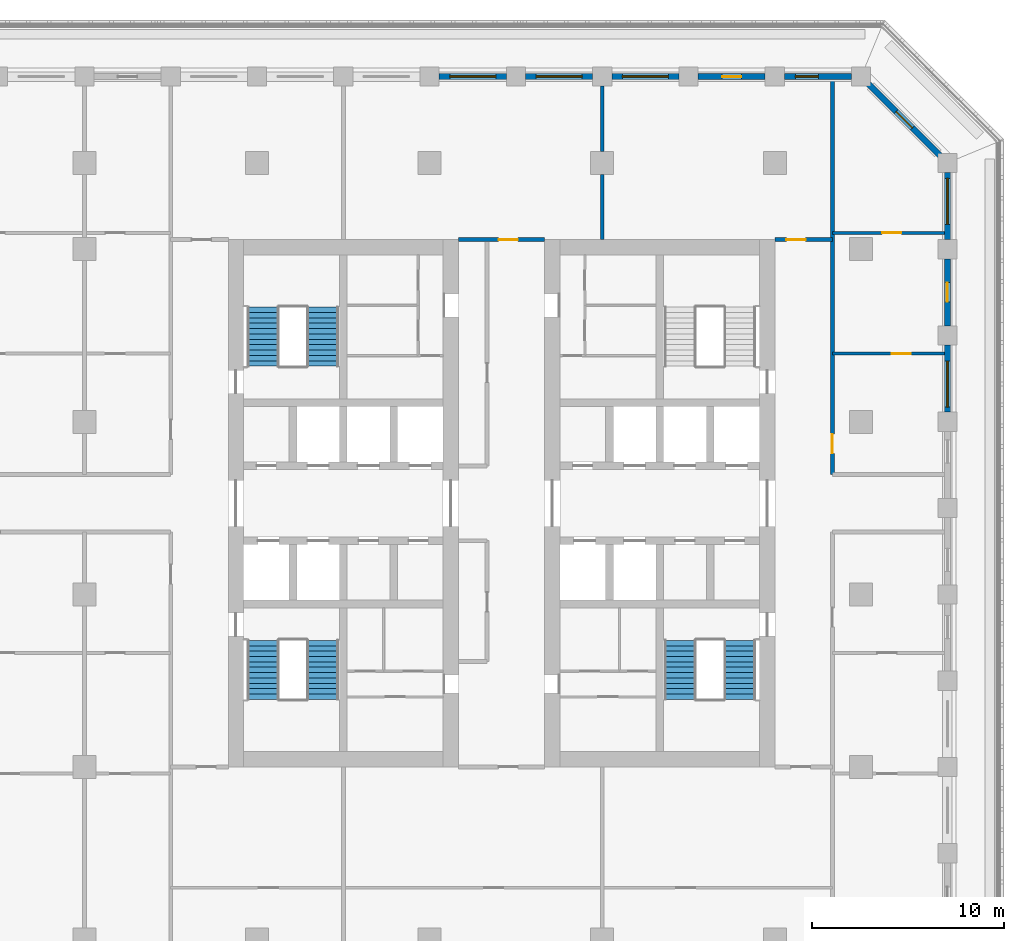
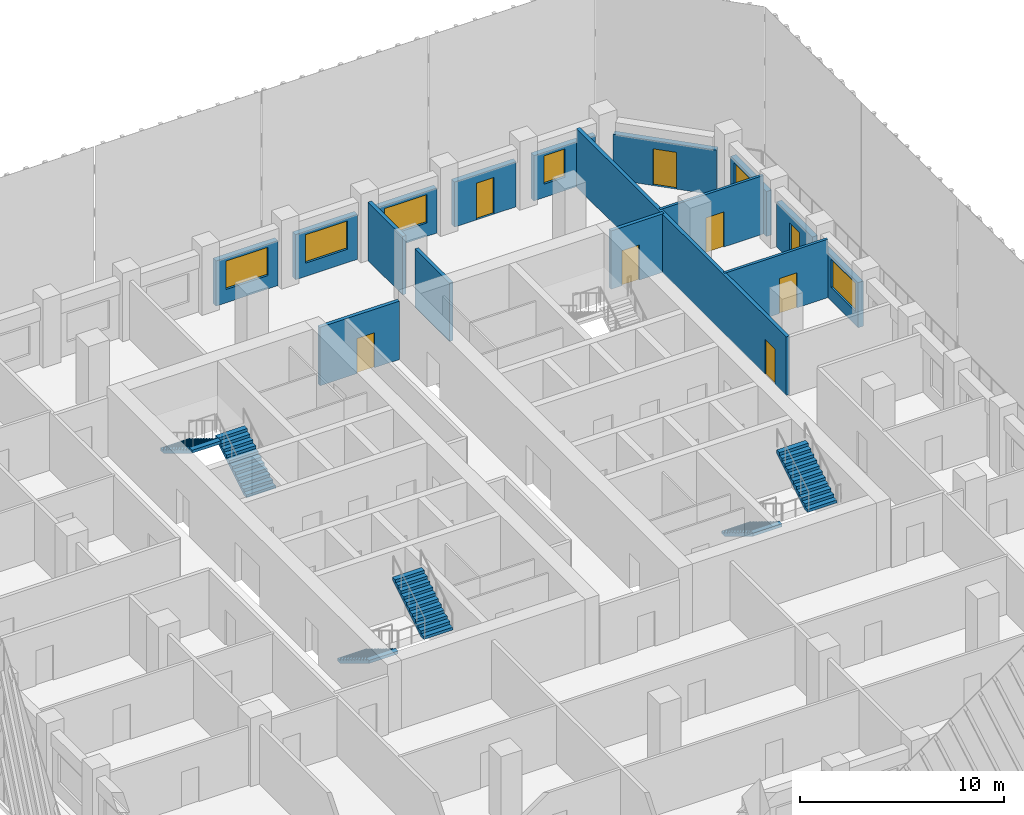
# One storey, part 8 of 18: 16 walls, 8 doors, 6 stair flights, 6 windows, 14 openings, 3 elements without a shape of their own.
"""IFC4 building model written with IfcOpenShell, lengths in metres."""

from ifc_helpers import new_model, si_unit, direction, frame, frame_2d, origin, place, context, subcontext, project, spatial, polyline, rectangle, outline, extrude, material, layer, layer_set, type_object, element, fill, aggregate, save


model = new_model("IFC4")

# Units and contexts
model_context = context("Model", 3, precision=1e-05, world=origin(), true_north=direction((0.0, 1.0)))
body_context = subcontext(model_context, "Body", "Model", "MODEL_VIEW")
ifc_project = project(units=[si_unit("LENGTHUNIT", "METRE"), si_unit("AREAUNIT", "SQUARE_METRE"), si_unit("VOLUMEUNIT", "CUBIC_METRE"), si_unit("PLANEANGLEUNIT", "RADIAN"), si_unit("MASSUNIT", "GRAM", prefix="KILO")], contexts=[model_context])

# Site, building, storey
site_placement = place(None, origin())
site = spatial("IfcSite", under=ifc_project, at=site_placement, CompositionType="ELEMENT")
building_placement = place(site_placement, origin())
building = spatial("IfcBuilding", under=site, at=building_placement, Name="Corbel Stack Research Tower", CompositionType="ELEMENT")
storey_placement = place(building_placement, frame((0.0, 0.0, 181.39990234375)))
storey = spatial("IfcBuildingStorey", under=building, at=storey_placement, Name="L41", CompositionType="ELEMENT", Elevation=181.39990234375)

# Walls
ifc_material_1 = material(Name="Fire-rated gypsum board partition on steel studs", Category="steel")
ifc_layer_1 = layer(ifc_material_1, 0.199951171875)
ifc_layer_set_1 = layer_set([ifc_layer_1], Name="Fire-rated gypsum board partition on steel studs")
wall_type_1 = type_object("IfcWallType", Name="Fire-rated partition 200 EI 60", PredefinedType="PARTITIONING", material=ifc_layer_set_1)
for number, where, z_axis, x_axis, name in (
    (1, (9.0, 18.5, 0.0), (0.0, 0.0, 1.0), (0.0, 1.0, 0.0), "Partition L41-017"),
    (2, (9.0, 23.10009765625, 0.0), (0.0, 0.0, 1.0), (0.0, 1.0, 0.0), "Partition L41-018"),
):
    element("IfcWall", number, at=place(storey_placement, frame(where, z_axis=z_axis, x_axis=x_axis)), inside=storey, type_object=wall_type_1, Name=name, PredefinedType="PARTITIONING", context=body_context, shape_type="SweptSolid", body=[
        extrude(rectangle(XDim=3.39990234375, YDim=0.199951171875, at=frame_2d((1.699951171875, 0.0))), origin(), (0.0, 0.0, 1.0), 3.5),
    ])

# Wall, opening, door
wall_1_placement = place(storey_placement, frame((21.0, 26.85009765625, 0.0), z_axis=(0.0, 0.0, 1.0), x_axis=(0.0, -1.0, 0.0)))
wall_1 = element("IfcWall", 3, at=wall_1_placement, inside=storey, type_object=wall_type_1, Name="Partition L41-020", PredefinedType="PARTITIONING", context=body_context, shape_type="SweptSolid", body=[
    extrude(rectangle(XDim=20.60009765625, YDim=0.199951171875, at=frame_2d((10.300048828125, 0.0))), origin(), (0.0, 0.0, 1.0), 3.5),
])
opening_1_placement = place(wall_1_placement, frame((18.5, 0.0, 0.0)))
opening_1 = element("IfcOpeningElement", 4, at=opening_1_placement, cuts=wall_1, Name="Opening B5V2-032", PredefinedType="OPENING", context=body_context, shape_type="SweptSolid", body=[
    extrude(rectangle(XDim=1.0, YDim=2.10009765625, at=frame_2d((0.5, 1.050048828125))), frame((0.0, 0.10986328125, 0.0), z_axis=(0.0, -1.0, 0.0), x_axis=(1.0, 0.0, 0.0)), (0.0, 0.0, 1.0), 0.219970703125),
])
ifc_material_2 = material(Name="Painted steel fire door", Category="steel")
door_type_1 = type_object("IfcDoorType", Name="Fire door FD30S 1000 x 2100", OperationType="NOTDEFINED", PredefinedType="DOOR", material=ifc_material_2)
door_1_placement = place(opening_1_placement, origin())
door_1 = element("IfcDoor", 5, at=door_1_placement, inside=storey, type_object=door_type_1, Name="Door B5V2-032", OperationType="SINGLE_SWING_RIGHT", OverallHeight=2.10009765625, OverallWidth=1.0, PredefinedType="DOOR", context=body_context, shape_type="SweptSolid", body=[
    extrude(rectangle(XDim=1.0, YDim=2.10009765625, at=frame_2d((0.5, 1.050048828125))), frame((0.0, 0.02490234375, 0.0), z_axis=(0.0, -1.0, 0.0), x_axis=(1.0, 0.0, 0.0)), (0.0, 0.0, 1.0), 0.050048828125),
])
fill(opening_1, door_1)

wall_2_placement = place(storey_placement, frame((1.5, 18.5, 0.0), z_axis=(0.0, 0.0, 1.0), x_axis=(1.0, 0.0, 0.0)))
wall_2 = element("IfcWall", 6, at=wall_2_placement, inside=storey, type_object=wall_type_1, Name="Partition L41-042", PredefinedType="PARTITIONING", context=body_context, shape_type="SweptSolid", body=[
    extrude(rectangle(XDim=4.5, YDim=0.199951171875, at=frame_2d((2.25, 0.0))), origin(), (0.0, 0.0, 1.0), 3.5),
])
opening_2_placement = place(wall_2_placement, frame((2.10009765625, 0.0, 0.0)))
opening_2 = element("IfcOpeningElement", 7, at=opening_2_placement, cuts=wall_2, Name="Opening B5V2-026", PredefinedType="OPENING", context=body_context, shape_type="SweptSolid", body=[
    extrude(rectangle(XDim=1.0, YDim=2.10009765625, at=frame_2d((0.5, 1.050048828125))), frame((0.0, 0.10986328125, 0.0), z_axis=(0.0, -1.0, 0.0), x_axis=(1.0, 0.0, 0.0)), (0.0, 0.0, 1.0), 0.219970703125),
])
door_2_placement = place(opening_2_placement, origin())
door_2 = element("IfcDoor", 8, at=door_2_placement, inside=storey, type_object=door_type_1, Name="Door B5V2-026", OperationType="SINGLE_SWING_RIGHT", OverallHeight=2.10009765625, OverallWidth=1.0, PredefinedType="DOOR", context=body_context, shape_type="SweptSolid", body=[
    extrude(rectangle(XDim=1.0, YDim=2.10009765625, at=frame_2d((0.5, 1.050048828125))), frame((0.0, 0.02490234375, 0.0), z_axis=(0.0, -1.0, 0.0), x_axis=(1.0, 0.0, 0.0)), (0.0, 0.0, 1.0), 0.050048828125),
])
fill(opening_2, door_2)

wall_3_placement = place(storey_placement, frame((18.0, 18.5, 0.0), z_axis=(0.0, 0.0, 1.0), x_axis=(1.0, 0.0, 0.0)))
wall_3 = element("IfcWall", 9, at=wall_3_placement, inside=storey, type_object=wall_type_1, Name="Partition L41-043", PredefinedType="PARTITIONING", context=body_context, shape_type="SweptSolid", body=[
    extrude(rectangle(XDim=3.0, YDim=0.199951171875, at=frame_2d((1.5, 0.0))), origin(), (0.0, 0.0, 1.0), 3.5),
])
opening_3_placement = place(wall_3_placement, frame((0.60009765625, 0.0, 0.0)))
opening_3 = element("IfcOpeningElement", 10, at=opening_3_placement, cuts=wall_3, Name="Opening B5V2-027", PredefinedType="OPENING", context=body_context, shape_type="SweptSolid", body=[
    extrude(rectangle(XDim=1.0, YDim=2.10009765625, at=frame_2d((0.5, 1.050048828125))), frame((0.0, 0.10986328125, 0.0), z_axis=(0.0, -1.0, 0.0), x_axis=(1.0, 0.0, 0.0)), (0.0, 0.0, 1.0), 0.219970703125),
])
door_3_placement = place(opening_3_placement, origin())
door_3 = element("IfcDoor", 11, at=door_3_placement, inside=storey, type_object=door_type_1, Name="Door B5V2-027", OperationType="SINGLE_SWING_LEFT", OverallHeight=2.10009765625, OverallWidth=1.0, PredefinedType="DOOR", context=body_context, shape_type="SweptSolid", body=[
    extrude(rectangle(XDim=1.0, YDim=2.10009765625, at=frame_2d((0.5, 1.050048828125))), frame((0.0, 0.02490234375, 0.0), z_axis=(0.0, -1.0, 0.0), x_axis=(1.0, 0.0, 0.0)), (0.0, 0.0, 1.0), 0.050048828125),
])
fill(opening_3, door_3)

ifc_material_3 = material(Name="Gypsum board partition on steel studs", Category="steel")
ifc_layer_2 = layer(ifc_material_3, 0.14990234375)
ifc_layer_set_2 = layer_set([ifc_layer_2], Name="Gypsum board partition on steel studs")
wall_type_2 = type_object("IfcWallType", Name="Partition 150", PredefinedType="PARTITIONING", material=ifc_layer_set_2)
wall_4_placement = place(storey_placement, frame((21.0, 12.550048828125, 0.0), z_axis=(0.0, 0.0, 1.0), x_axis=(1.0, 0.0, 0.0)))
wall_4 = element("IfcWall", 12, at=wall_4_placement, inside=storey, type_object=wall_type_2, Name="Partition L41-040", PredefinedType="PARTITIONING", context=body_context, shape_type="SweptSolid", body=[
    extrude(rectangle(XDim=5.85009765625, YDim=0.14990234375, at=frame_2d((2.925048828125, 0.0))), origin(), (0.0, 0.0, 1.0), 3.5),
])
opening_4_placement = place(wall_4_placement, frame((3.10009765625, 0.0, 0.0)))
opening_4 = element("IfcOpeningElement", 13, at=opening_4_placement, cuts=wall_4, Name="Opening B5V2-024", PredefinedType="OPENING", context=body_context, shape_type="SweptSolid", body=[
    extrude(rectangle(XDim=1.0, YDim=2.10009765625, at=frame_2d((0.5, 1.050048828125))), frame((0.0, 0.0849609375, 0.0), z_axis=(0.0, -1.0, 0.0), x_axis=(1.0, 0.0, 0.0)), (0.0, 0.0, 1.0), 0.169921875),
])
ifc_material_4 = material(Name="Painted timber door", Category="wood")
door_type_2 = type_object("IfcDoorType", Name="Single door 1000 x 2100", OperationType="NOTDEFINED", PredefinedType="DOOR", material=ifc_material_4)
door_4_placement = place(opening_4_placement, origin())
door_4 = element("IfcDoor", 14, at=door_4_placement, inside=storey, type_object=door_type_2, Name="Door B5V2-024", OperationType="SINGLE_SWING_RIGHT", OverallHeight=2.10009765625, OverallWidth=1.0, PredefinedType="DOOR", context=body_context, shape_type="SweptSolid", body=[
    extrude(rectangle(XDim=1.0, YDim=2.10009765625, at=frame_2d((0.5, 1.050048828125))), frame((0.0, 0.02490234375, 0.0), z_axis=(0.0, -1.0, 0.0), x_axis=(1.0, 0.0, 0.0)), (0.0, 0.0, 1.0), 0.050048828125),
])
fill(opening_4, door_4)

wall_5_placement = place(storey_placement, frame((21.0, 18.85009765625, 0.0), z_axis=(0.0, 0.0, 1.0), x_axis=(1.0, 0.0, 0.0)))
wall_5 = element("IfcWall", 15, at=wall_5_placement, inside=storey, type_object=wall_type_2, Name="Partition L41-045", PredefinedType="PARTITIONING", context=body_context, shape_type="SweptSolid", body=[
    extrude(rectangle(XDim=5.85009765625, YDim=0.14990234375, at=frame_2d((2.925048828125, 0.0))), origin(), (0.0, 0.0, 1.0), 3.5),
])
opening_5_placement = place(wall_5_placement, frame((2.60009765625, 0.0, 0.0)))
opening_5 = element("IfcOpeningElement", 16, at=opening_5_placement, cuts=wall_5, Name="Opening B5V2-030", PredefinedType="OPENING", context=body_context, shape_type="SweptSolid", body=[
    extrude(rectangle(XDim=1.0, YDim=2.10009765625, at=frame_2d((0.5, 1.050048828125))), frame((0.0, 0.0849609375, 0.0), z_axis=(0.0, -1.0, 0.0), x_axis=(1.0, 0.0, 0.0)), (0.0, 0.0, 1.0), 0.169921875),
])
door_5_placement = place(opening_5_placement, origin())
door_5 = element("IfcDoor", 17, at=door_5_placement, inside=storey, type_object=door_type_2, Name="Door B5V2-030", OperationType="SINGLE_SWING_RIGHT", OverallHeight=2.10009765625, OverallWidth=1.0, PredefinedType="DOOR", context=body_context, shape_type="SweptSolid", body=[
    extrude(rectangle(XDim=1.0, YDim=2.10009765625, at=frame_2d((0.5, 1.050048828125))), frame((0.0, 0.02490234375, 0.0), z_axis=(0.0, -1.0, 0.0), x_axis=(1.0, 0.0, 0.0)), (0.0, 0.0, 1.0), 0.050048828125),
])
fill(opening_5, door_5)

# Wall, opening, window
ifc_material_5 = material(Name="Concrete C45/55", Category="concrete")
ifc_layer_3 = layer(ifc_material_5, 0.300048828125)
ifc_layer_set_3 = layer_set([ifc_layer_3], Name="Concrete C45/55")
wall_type_3 = type_object("IfcWallType", Name="Terracotta-faced concrete wall 300", PredefinedType="SOLIDWALL", material=ifc_layer_set_3)
wall_6_placement = place(storey_placement, frame((27.0, 13.0, 0.0), z_axis=(0.0, 0.0, 1.0), x_axis=(0.0, -1.0, 0.0)))
wall_6 = element("IfcWall", 18, at=wall_6_placement, inside=storey, type_object=wall_type_3, Name="Facade wall L41 E08", PredefinedType="SOLIDWALL", context=body_context, shape_type="SweptSolid", body=[
    extrude(rectangle(XDim=3.5, YDim=0.300048828125, at=frame_2d((1.75, 0.0))), origin(), (0.0, 0.0, 1.0), 2.7001953125),
])
opening_6_placement = place(wall_6_placement, frame((0.83740234375, 0.0, 0.800048828125)))
opening_6 = element("IfcOpeningElement", 19, at=opening_6_placement, cuts=wall_6, Name="Opening W1", PredefinedType="OPENING", context=body_context, shape_type="SweptSolid", body=[
    extrude(rectangle(XDim=2.39990234375, YDim=1.699951171875, at=frame_2d((1.199951171875, 0.85009765625))), frame((0.0, 0.159912109375, 0.0), z_axis=(0.0, -1.0, 0.0), x_axis=(1.0, 0.0, 0.0)), (0.0, 0.0, 1.0), 0.320068359375),
])
ifc_material_6 = material(Name="Aluminium frame, clear double glazing", Category="aluminium")
window_type_1 = type_object("IfcWindowType", Name="Window W1 2400 x 1700", PartitioningType="SINGLE_PANEL", PredefinedType="WINDOW", material=ifc_material_6)
window_1_placement = place(opening_6_placement, origin())
window_1 = element("IfcWindow", 20, at=window_1_placement, inside=storey, type_object=window_type_1, Name="Window W1 L41 E08", OverallHeight=1.699951171875, OverallWidth=2.39990234375, PartitioningType="SINGLE_PANEL", PredefinedType="WINDOW", context=body_context, shape_type="SweptSolid", body=[
    extrude(rectangle(XDim=2.39990234375, YDim=1.699951171875, at=frame_2d((1.199951171875, 0.85009765625))), frame((0.0, 0.030029296875, 0.0), z_axis=(0.0, -1.0, 0.0), x_axis=(1.0, 0.0, 0.0)), (0.0, 0.0, 1.0), 0.06005859375),
])
fill(opening_6, window_1)

# Wall, opening, door
wall_7_placement = place(storey_placement, frame((27.0, 17.5, 0.0), z_axis=(0.0, 0.0, 1.0), x_axis=(0.0, -1.0, 0.0)))
wall_7 = element("IfcWall", 21, at=wall_7_placement, inside=storey, type_object=wall_type_3, Name="Facade wall L41 E09", PredefinedType="SOLIDWALL", context=body_context, shape_type="SweptSolid", body=[
    extrude(rectangle(XDim=3.5, YDim=0.300048828125, at=frame_2d((1.75, 0.0))), origin(), (0.0, 0.0, 1.0), 2.7001953125),
])
opening_7_placement = place(wall_7_placement, frame((1.25, 0.0, 0.0)))
opening_7 = element("IfcOpeningElement", 22, at=opening_7_placement, cuts=wall_7, Name="Opening L41-B05", PredefinedType="OPENING", context=body_context, shape_type="SweptSolid", body=[
    extrude(rectangle(XDim=1.0, YDim=2.199951171875, at=frame_2d((0.5, 1.10009765625))), frame((0.0, 0.159912109375, 0.0), z_axis=(0.0, -1.0, 0.0), x_axis=(1.0, 0.0, 0.0)), (0.0, 0.0, 1.0), 0.320068359375),
])
ifc_material_7 = material(Name="Aluminium frame, clear double glazing", Category="aluminium")
door_type_3 = type_object("IfcDoorType", Name="Balcony door BD1 1000 x 2200", OperationType="NOTDEFINED", PredefinedType="DOOR", material=ifc_material_7)
door_6_placement = place(opening_7_placement, origin())
door_6 = element("IfcDoor", 23, at=door_6_placement, inside=storey, type_object=door_type_3, Name="Balcony door L41-B05", OperationType="SINGLE_SWING_RIGHT", OverallHeight=2.199951171875, OverallWidth=1.0, PredefinedType="DOOR", context=body_context, shape_type="SweptSolid", body=[
    extrude(rectangle(XDim=1.0, YDim=2.199951171875, at=frame_2d((0.5, 1.10009765625))), frame((0.0, 0.02490234375, 0.0), z_axis=(0.0, -1.0, 0.0), x_axis=(1.0, 0.0, 0.0)), (0.0, 0.0, 1.0), 0.050048828125),
])
fill(opening_7, door_6)

# Wall, opening, window
wall_8_placement = place(storey_placement, frame((27.0, 22.0, 0.0), z_axis=(0.0, 0.0, 1.0), x_axis=(0.0, -1.0, 0.0)))
wall_8 = element("IfcWall", 24, at=wall_8_placement, inside=storey, type_object=wall_type_3, Name="Facade wall L41 E10", PredefinedType="SOLIDWALL", context=body_context, shape_type="SweptSolid", body=[
    extrude(rectangle(XDim=3.5, YDim=0.300048828125, at=frame_2d((1.75, 0.0))), origin(), (0.0, 0.0, 1.0), 2.7001953125),
])
opening_8_placement = place(wall_8_placement, frame((0.3125, 0.0, 0.800048828125)))
opening_8 = element("IfcOpeningElement", 25, at=opening_8_placement, cuts=wall_8, Name="Opening W1", PredefinedType="OPENING", context=body_context, shape_type="SweptSolid", body=[
    extrude(rectangle(XDim=2.39990234375, YDim=1.699951171875, at=frame_2d((1.199951171875, 0.85009765625))), frame((0.0, 0.159912109375, 0.0), z_axis=(0.0, -1.0, 0.0), x_axis=(1.0, 0.0, 0.0)), (0.0, 0.0, 1.0), 0.320068359375),
])
window_2_placement = place(opening_8_placement, origin())
window_2 = element("IfcWindow", 26, at=window_2_placement, inside=storey, type_object=window_type_1, Name="Window W1 L41 E10", OverallHeight=1.699951171875, OverallWidth=2.39990234375, PartitioningType="SINGLE_PANEL", PredefinedType="WINDOW", context=body_context, shape_type="SweptSolid", body=[
    extrude(rectangle(XDim=2.39990234375, YDim=1.699951171875, at=frame_2d((1.199951171875, 0.85009765625))), frame((0.0, 0.030029296875, 0.0), z_axis=(0.0, -1.0, 0.0), x_axis=(1.0, 0.0, 0.0)), (0.0, 0.0, 1.0), 0.06005859375),
])
fill(opening_8, window_2)

# Wall, opening, door
wall_9_placement = place(storey_placement, frame((22.893798828125, 26.606201171875, 0.0), z_axis=(0.0, 0.0, 1.0), x_axis=(0.707106781187, -0.707106781187, 0.0)))
wall_9 = element("IfcWall", 27, at=wall_9_placement, inside=storey, type_object=wall_type_3, Name="Facade wall L41 NE01", PredefinedType="SOLIDWALL", context=body_context, shape_type="SweptSolid", body=[
    extrude(rectangle(XDim=5.250244140625, YDim=0.300048828125, at=frame_2d((2.625, 0.0))), origin(), (0.0, 0.0, 1.0), 2.7001953125),
])
opening_9_placement = place(wall_9_placement, frame((2.02490234375, 0.0, 0.0)))
opening_9 = element("IfcOpeningElement", 28, at=opening_9_placement, cuts=wall_9, Name="Opening L41-B06", PredefinedType="OPENING", context=body_context, shape_type="SweptSolid", body=[
    extrude(rectangle(XDim=1.199951171875, YDim=2.199951171875, at=frame_2d((0.60009765625, 1.10009765625))), frame((0.0, 0.159912109375, 0.0), z_axis=(0.0, -1.0, 0.0), x_axis=(1.0, 0.0, 0.0)), (0.0, 0.0, 1.0), 0.320068359375),
])
ifc_material_8 = material(Name="Aluminium frame, clear double glazing", Category="aluminium")
door_type_4 = type_object("IfcDoorType", Name="Balcony door BD2 1200 x 2200", OperationType="NOTDEFINED", PredefinedType="DOOR", material=ifc_material_8)
door_7_placement = place(opening_9_placement, origin())
door_7 = element("IfcDoor", 29, at=door_7_placement, inside=storey, type_object=door_type_4, Name="Balcony door L41-B06", OperationType="SINGLE_SWING_RIGHT", OverallHeight=2.199951171875, OverallWidth=1.199951171875, PredefinedType="DOOR", context=body_context, shape_type="SweptSolid", body=[
    extrude(rectangle(XDim=1.199951171875, YDim=2.199951171875, at=frame_2d((0.60009765625, 1.10009765625))), frame((0.0, 0.02490234375, 0.0), z_axis=(0.0, -1.0, 0.0), x_axis=(1.0, 0.0, 0.0)), (0.0, 0.0, 1.0), 0.050048828125),
])
fill(opening_9, door_7)

# Wall, opening, window
wall_10_placement = place(storey_placement, frame((18.5, 27.0, 0.0), z_axis=(0.0, 0.0, 1.0), x_axis=(1.0, 0.0, 0.0)))
wall_10 = element("IfcWall", 30, at=wall_10_placement, inside=storey, type_object=wall_type_3, Name="Facade wall L41 N01", PredefinedType="SOLIDWALL", context=body_context, shape_type="SweptSolid", body=[
    extrude(rectangle(XDim=3.5, YDim=0.300048828125, at=frame_2d((1.75, 0.0))), origin(), (0.0, 0.0, 1.0), 2.7001953125),
])
opening_10_placement = place(wall_10_placement, frame((0.574951171875, 0.0, 0.800048828125)))
opening_10 = element("IfcOpeningElement", 31, at=opening_10_placement, cuts=wall_10, Name="Opening W2", PredefinedType="OPENING", context=body_context, shape_type="SweptSolid", body=[
    extrude(rectangle(XDim=1.199951171875, YDim=1.699951171875, at=frame_2d((0.60009765625, 0.85009765625))), frame((0.0, 0.159912109375, 0.0), z_axis=(0.0, -1.0, 0.0), x_axis=(1.0, 0.0, 0.0)), (0.0, 0.0, 1.0), 0.320068359375),
])
ifc_material_9 = material(Name="Aluminium frame, clear double glazing", Category="aluminium")
window_type_2 = type_object("IfcWindowType", Name="Window W2 1200 x 1700", PartitioningType="SINGLE_PANEL", PredefinedType="WINDOW", material=ifc_material_9)
window_3_placement = place(opening_10_placement, origin())
window_3 = element("IfcWindow", 32, at=window_3_placement, inside=storey, type_object=window_type_2, Name="Window W2 L41 N01", OverallHeight=1.699951171875, OverallWidth=1.199951171875, PartitioningType="SINGLE_PANEL", PredefinedType="WINDOW", context=body_context, shape_type="SweptSolid", body=[
    extrude(rectangle(XDim=1.199951171875, YDim=1.699951171875, at=frame_2d((0.60009765625, 0.85009765625))), frame((0.0, 0.030029296875, 0.0), z_axis=(0.0, -1.0, 0.0), x_axis=(1.0, 0.0, 0.0)), (0.0, 0.0, 1.0), 0.06005859375),
])
fill(opening_10, window_3)

# Wall, opening, door
wall_11_placement = place(storey_placement, frame((14.0, 27.0, 0.0), z_axis=(0.0, 0.0, 1.0), x_axis=(1.0, 0.0, 0.0)))
wall_11 = element("IfcWall", 33, at=wall_11_placement, inside=storey, type_object=wall_type_3, Name="Facade wall L41 N02", PredefinedType="SOLIDWALL", context=body_context, shape_type="SweptSolid", body=[
    extrude(rectangle(XDim=3.5, YDim=0.300048828125, at=frame_2d((1.75, 0.0))), origin(), (0.0, 0.0, 1.0), 2.7001953125),
])
opening_11_placement = place(wall_11_placement, frame((1.25, 0.0, 0.0)))
opening_11 = element("IfcOpeningElement", 34, at=opening_11_placement, cuts=wall_11, Name="Opening L41-B07", PredefinedType="OPENING", context=body_context, shape_type="SweptSolid", body=[
    extrude(rectangle(XDim=1.0, YDim=2.199951171875, at=frame_2d((0.5, 1.10009765625))), frame((0.0, 0.159912109375, 0.0), z_axis=(0.0, -1.0, 0.0), x_axis=(1.0, 0.0, 0.0)), (0.0, 0.0, 1.0), 0.320068359375),
])
door_8_placement = place(opening_11_placement, origin())
door_8 = element("IfcDoor", 35, at=door_8_placement, inside=storey, type_object=door_type_3, Name="Balcony door L41-B07", OperationType="SINGLE_SWING_LEFT", OverallHeight=2.199951171875, OverallWidth=1.0, PredefinedType="DOOR", context=body_context, shape_type="SweptSolid", body=[
    extrude(rectangle(XDim=1.0, YDim=2.199951171875, at=frame_2d((0.5, 1.10009765625))), frame((0.0, 0.02490234375, 0.0), z_axis=(0.0, -1.0, 0.0), x_axis=(1.0, 0.0, 0.0)), (0.0, 0.0, 1.0), 0.050048828125),
])
fill(opening_11, door_8)

# Wall, opening, window
wall_12_placement = place(storey_placement, frame((9.5, 27.0, 0.0), z_axis=(0.0, 0.0, 1.0), x_axis=(1.0, 0.0, 0.0)))
wall_12 = element("IfcWall", 36, at=wall_12_placement, inside=storey, type_object=wall_type_3, Name="Facade wall L41 N03", PredefinedType="SOLIDWALL", context=body_context, shape_type="SweptSolid", body=[
    extrude(rectangle(XDim=3.5, YDim=0.300048828125, at=frame_2d((1.75, 0.0))), origin(), (0.0, 0.0, 1.0), 2.7001953125),
])
opening_12_placement = place(wall_12_placement, frame((0.550048828125, 0.0, 0.800048828125)))
opening_12 = element("IfcOpeningElement", 37, at=opening_12_placement, cuts=wall_12, Name="Opening W1", PredefinedType="OPENING", context=body_context, shape_type="SweptSolid", body=[
    extrude(rectangle(XDim=2.39990234375, YDim=1.699951171875, at=frame_2d((1.199951171875, 0.85009765625))), frame((0.0, 0.159912109375, 0.0), z_axis=(0.0, -1.0, 0.0), x_axis=(1.0, 0.0, 0.0)), (0.0, 0.0, 1.0), 0.320068359375),
])
window_4_placement = place(opening_12_placement, origin())
window_4 = element("IfcWindow", 38, at=window_4_placement, inside=storey, type_object=window_type_1, Name="Window W1 L41 N03", OverallHeight=1.699951171875, OverallWidth=2.39990234375, PartitioningType="SINGLE_PANEL", PredefinedType="WINDOW", context=body_context, shape_type="SweptSolid", body=[
    extrude(rectangle(XDim=2.39990234375, YDim=1.699951171875, at=frame_2d((1.199951171875, 0.85009765625))), frame((0.0, 0.030029296875, 0.0), z_axis=(0.0, -1.0, 0.0), x_axis=(1.0, 0.0, 0.0)), (0.0, 0.0, 1.0), 0.06005859375),
])
fill(opening_12, window_4)

wall_13_placement = place(storey_placement, frame((5.0, 27.0, 0.0), z_axis=(0.0, 0.0, 1.0), x_axis=(1.0, 0.0, 0.0)))
wall_13 = element("IfcWall", 39, at=wall_13_placement, inside=storey, type_object=wall_type_3, Name="Facade wall L41 N04", PredefinedType="SOLIDWALL", context=body_context, shape_type="SweptSolid", body=[
    extrude(rectangle(XDim=3.5, YDim=0.300048828125, at=frame_2d((1.75, 0.0))), origin(), (0.0, 0.0, 1.0), 2.7001953125),
])
opening_13_placement = place(wall_13_placement, frame((0.550048828125, 0.0, 0.800048828125)))
opening_13 = element("IfcOpeningElement", 40, at=opening_13_placement, cuts=wall_13, Name="Opening W1", PredefinedType="OPENING", context=body_context, shape_type="SweptSolid", body=[
    extrude(rectangle(XDim=2.39990234375, YDim=1.699951171875, at=frame_2d((1.199951171875, 0.85009765625))), frame((0.0, 0.159912109375, 0.0), z_axis=(0.0, -1.0, 0.0), x_axis=(1.0, 0.0, 0.0)), (0.0, 0.0, 1.0), 0.320068359375),
])
window_5_placement = place(opening_13_placement, origin())
window_5 = element("IfcWindow", 41, at=window_5_placement, inside=storey, type_object=window_type_1, Name="Window W1 L41 N04", OverallHeight=1.699951171875, OverallWidth=2.39990234375, PartitioningType="SINGLE_PANEL", PredefinedType="WINDOW", context=body_context, shape_type="SweptSolid", body=[
    extrude(rectangle(XDim=2.39990234375, YDim=1.699951171875, at=frame_2d((1.199951171875, 0.85009765625))), frame((0.0, 0.030029296875, 0.0), z_axis=(0.0, -1.0, 0.0), x_axis=(1.0, 0.0, 0.0)), (0.0, 0.0, 1.0), 0.06005859375),
])
fill(opening_13, window_5)

wall_14_placement = place(storey_placement, frame((0.5, 27.0, 0.0), z_axis=(0.0, 0.0, 1.0), x_axis=(1.0, 0.0, 0.0)))
wall_14 = element("IfcWall", 42, at=wall_14_placement, inside=storey, type_object=wall_type_3, Name="Facade wall L41 N05", PredefinedType="SOLIDWALL", context=body_context, shape_type="SweptSolid", body=[
    extrude(rectangle(XDim=3.5, YDim=0.300048828125, at=frame_2d((1.75, 0.0))), origin(), (0.0, 0.0, 1.0), 2.7001953125),
])
opening_14_placement = place(wall_14_placement, frame((0.550048828125, 0.0, 0.800048828125)))
opening_14 = element("IfcOpeningElement", 43, at=opening_14_placement, cuts=wall_14, Name="Opening W1", PredefinedType="OPENING", context=body_context, shape_type="SweptSolid", body=[
    extrude(rectangle(XDim=2.39990234375, YDim=1.699951171875, at=frame_2d((1.199951171875, 0.85009765625))), frame((0.0, 0.159912109375, 0.0), z_axis=(0.0, -1.0, 0.0), x_axis=(1.0, 0.0, 0.0)), (0.0, 0.0, 1.0), 0.320068359375),
])
window_6_placement = place(opening_14_placement, origin())
window_6 = element("IfcWindow", 44, at=window_6_placement, inside=storey, type_object=window_type_1, Name="Window W1 L41 N05", OverallHeight=1.699951171875, OverallWidth=2.39990234375, PartitioningType="SINGLE_PANEL", PredefinedType="WINDOW", context=body_context, shape_type="SweptSolid", body=[
    extrude(rectangle(XDim=2.39990234375, YDim=1.699951171875, at=frame_2d((1.199951171875, 0.85009765625))), frame((0.0, 0.030029296875, 0.0), z_axis=(0.0, -1.0, 0.0), x_axis=(1.0, 0.0, 0.0)), (0.0, 0.0, 1.0), 0.06005859375),
])
fill(opening_14, window_6)

# Stair, stair flights
ifc_material_10 = material(Name="Concrete C40/50", Category="concrete")
stair_type = type_object("IfcStairType", Name="Exit stair 24 risers", PredefinedType="HALF_TURN_STAIR", material=ifc_material_10)
stair_1_placement = place(storey_placement, origin())
stair_1 = element("IfcStair", 45, at=stair_1_placement, inside=storey, type_object=stair_type, Name="L41 Exit stair ST-W1", PredefinedType="HALF_TURN_STAIR")
ifc_material_11 = material(Name="Concrete C40/50", Category="concrete")
stair_flight_type = type_object("IfcStairFlightType", Name="Stair flight 12 risers", PredefinedType="STRAIGHT", material=ifc_material_11)
stair_flight_1_placement = place(storey_placement, frame((-8.675048828125, -2.39990234375, 0.0), z_axis=(0.0, 0.0, 1.0), x_axis=(0.0, -1.0, 0.0)))
stair_flight_1 = element("IfcStairFlight", 46, at=stair_flight_1_placement, type_object=stair_flight_type, Name="ST-W1 flight 1", NumberOfRisers=12, NumberOfTreads=11, PredefinedType="STRAIGHT", RiserHeight=0.170833333, TreadLength=0.28, context=body_context, shape_type="SweptSolid", body=[
    extrude(outline(polyline([(0.0, 0.0), (0.0, 0.1708984375), (0.280029296875, 0.1708984375), (0.280029296875, 0.341552734375), (0.56005859375, 0.341552734375), (0.56005859375, 0.512451171875), (0.840087890625, 0.512451171875), (0.840087890625, 0.683349609375), (1.1201171875, 0.683349609375), (1.1201171875, 0.854248046875), (1.39990234375, 0.854248046875), (1.39990234375, 1.02490234375), (1.679931640625, 1.02490234375), (1.679931640625, 1.19580078125), (1.9599609375, 1.19580078125), (1.9599609375, 1.36669921875), (2.239990234375, 1.36669921875), (2.239990234375, 1.53759765625), (2.52001953125, 1.53759765625), (2.52001953125, 1.708251953125), (2.800048828125, 1.708251953125), (2.800048828125, 1.879150390625), (3.080078125, 1.879150390625), (3.080078125, 2.050048828125), (3.080078125, 1.70361328125), (0.287841796875, 0.0), (0.0, 0.0)])), frame((0.0, 0.824951171875, 0.0), z_axis=(0.0, -1.0, 0.0), x_axis=(1.0, 0.0, 0.0)), (0.0, 0.0, 1.0), 1.64990234375),
])
stair_flight_2_placement = place(storey_placement, frame((-5.574951171875, -5.47998046875, 2.050048828125), z_axis=(0.0, 0.0, 1.0), x_axis=(0.0, 1.0, 0.0)))
stair_flight_2 = element("IfcStairFlight", 47, at=stair_flight_2_placement, type_object=stair_flight_type, Name="ST-W1 flight 2", NumberOfRisers=12, NumberOfTreads=11, PredefinedType="STRAIGHT", RiserHeight=0.170833333, TreadLength=0.28, context=body_context, shape_type="SweptSolid", body=[
    extrude(outline(polyline([(0.0, 0.0), (0.0, 0.1708984375), (0.280029296875, 0.1708984375), (0.280029296875, 0.341552734375), (0.56005859375, 0.341552734375), (0.56005859375, 0.512451171875), (0.840087890625, 0.512451171875), (0.840087890625, 0.683349609375), (1.1201171875, 0.683349609375), (1.1201171875, 0.854248046875), (1.39990234375, 0.854248046875), (1.39990234375, 1.02490234375), (1.679931640625, 1.02490234375), (1.679931640625, 1.19580078125), (1.9599609375, 1.19580078125), (1.9599609375, 1.36669921875), (2.239990234375, 1.36669921875), (2.239990234375, 1.53759765625), (2.52001953125, 1.53759765625), (2.52001953125, 1.708251953125), (2.800048828125, 1.708251953125), (2.800048828125, 1.879150390625), (3.080078125, 1.879150390625), (3.080078125, 2.050048828125), (3.080078125, 1.70361328125), (0.287841796875, 0.0), (0.0, 0.0)])), frame((0.0, 0.824951171875, 0.0), z_axis=(0.0, -1.0, 0.0), x_axis=(1.0, 0.0, 0.0)), (0.0, 0.0, 1.0), 1.64990234375),
])
aggregate(stair_1, [stair_flight_1, stair_flight_2])

stair_2_placement = place(storey_placement, origin())
stair_2 = element("IfcStair", 48, at=stair_2_placement, inside=storey, type_object=stair_type, Name="L41 Exit stair ST-W2", PredefinedType="HALF_TURN_STAIR")
stair_flight_3_placement = place(storey_placement, frame((-5.574951171875, 11.89990234375, 0.0), z_axis=(0.0, 0.0, 1.0), x_axis=(0.0, 1.0, 0.0)))
stair_flight_3 = element("IfcStairFlight", 49, at=stair_flight_3_placement, type_object=stair_flight_type, Name="ST-W2 flight 1", NumberOfRisers=12, NumberOfTreads=11, PredefinedType="STRAIGHT", RiserHeight=0.170833333, TreadLength=0.28, context=body_context, shape_type="SweptSolid", body=[
    extrude(outline(polyline([(0.0, 0.0), (0.0, 0.1708984375), (0.280029296875, 0.1708984375), (0.280029296875, 0.341552734375), (0.56005859375, 0.341552734375), (0.56005859375, 0.512451171875), (0.840087890625, 0.512451171875), (0.840087890625, 0.683349609375), (1.1201171875, 0.683349609375), (1.1201171875, 0.854248046875), (1.39990234375, 0.854248046875), (1.39990234375, 1.02490234375), (1.679931640625, 1.02490234375), (1.679931640625, 1.19580078125), (1.9599609375, 1.19580078125), (1.9599609375, 1.36669921875), (2.239990234375, 1.36669921875), (2.239990234375, 1.53759765625), (2.52001953125, 1.53759765625), (2.52001953125, 1.708251953125), (2.800048828125, 1.708251953125), (2.800048828125, 1.879150390625), (3.080078125, 1.879150390625), (3.080078125, 2.050048828125), (3.080078125, 1.70361328125), (0.287841796875, 0.0), (0.0, 0.0)])), frame((0.0, 0.824951171875, 0.0), z_axis=(0.0, -1.0, 0.0), x_axis=(1.0, 0.0, 0.0)), (0.0, 0.0, 1.0), 1.64990234375),
])
stair_flight_4_placement = place(storey_placement, frame((-8.675048828125, 14.97998046875, 2.050048828125), z_axis=(0.0, 0.0, 1.0), x_axis=(0.0, -1.0, 0.0)))
stair_flight_4 = element("IfcStairFlight", 50, at=stair_flight_4_placement, type_object=stair_flight_type, Name="ST-W2 flight 2", NumberOfRisers=12, NumberOfTreads=11, PredefinedType="STRAIGHT", RiserHeight=0.170833333, TreadLength=0.28, context=body_context, shape_type="SweptSolid", body=[
    extrude(outline(polyline([(0.0, 0.0), (0.0, 0.1708984375), (0.280029296875, 0.1708984375), (0.280029296875, 0.341552734375), (0.56005859375, 0.341552734375), (0.56005859375, 0.512451171875), (0.840087890625, 0.512451171875), (0.840087890625, 0.683349609375), (1.1201171875, 0.683349609375), (1.1201171875, 0.854248046875), (1.39990234375, 0.854248046875), (1.39990234375, 1.02490234375), (1.679931640625, 1.02490234375), (1.679931640625, 1.19580078125), (1.9599609375, 1.19580078125), (1.9599609375, 1.36669921875), (2.239990234375, 1.36669921875), (2.239990234375, 1.53759765625), (2.52001953125, 1.53759765625), (2.52001953125, 1.708251953125), (2.800048828125, 1.708251953125), (2.800048828125, 1.879150390625), (3.080078125, 1.879150390625), (3.080078125, 2.050048828125), (3.080078125, 1.70361328125), (0.287841796875, 0.0), (0.0, 0.0)])), frame((0.0, 0.824951171875, 0.0), z_axis=(0.0, -1.0, 0.0), x_axis=(1.0, 0.0, 0.0)), (0.0, 0.0, 1.0), 1.64990234375),
])
aggregate(stair_2, [stair_flight_3, stair_flight_4])

stair_3_placement = place(storey_placement, origin())
stair_3 = element("IfcStair", 51, at=stair_3_placement, inside=storey, type_object=stair_type, Name="L41 Exit stair ST-E1", PredefinedType="HALF_TURN_STAIR")
stair_flight_5_placement = place(storey_placement, frame((13.074951171875, -2.39990234375, 0.0), z_axis=(0.0, 0.0, 1.0), x_axis=(0.0, -1.0, 0.0)))
stair_flight_5 = element("IfcStairFlight", 52, at=stair_flight_5_placement, type_object=stair_flight_type, Name="ST-E1 flight 1", NumberOfRisers=12, NumberOfTreads=11, PredefinedType="STRAIGHT", RiserHeight=0.170833333, TreadLength=0.28, context=body_context, shape_type="SweptSolid", body=[
    extrude(outline(polyline([(0.0, 0.0), (0.0, 0.1708984375), (0.280029296875, 0.1708984375), (0.280029296875, 0.341552734375), (0.56005859375, 0.341552734375), (0.56005859375, 0.512451171875), (0.840087890625, 0.512451171875), (0.840087890625, 0.683349609375), (1.1201171875, 0.683349609375), (1.1201171875, 0.854248046875), (1.39990234375, 0.854248046875), (1.39990234375, 1.02490234375), (1.679931640625, 1.02490234375), (1.679931640625, 1.19580078125), (1.9599609375, 1.19580078125), (1.9599609375, 1.36669921875), (2.239990234375, 1.36669921875), (2.239990234375, 1.53759765625), (2.52001953125, 1.53759765625), (2.52001953125, 1.708251953125), (2.800048828125, 1.708251953125), (2.800048828125, 1.879150390625), (3.080078125, 1.879150390625), (3.080078125, 2.050048828125), (3.080078125, 1.70361328125), (0.287841796875, 0.0), (0.0, 0.0)])), frame((0.0, 0.824951171875, 0.0), z_axis=(0.0, -1.0, 0.0), x_axis=(1.0, 0.0, 0.0)), (0.0, 0.0, 1.0), 1.64990234375),
])
stair_flight_6_placement = place(storey_placement, frame((16.175048828125, -5.47998046875, 2.050048828125), z_axis=(0.0, 0.0, 1.0), x_axis=(0.0, 1.0, 0.0)))
stair_flight_6 = element("IfcStairFlight", 53, at=stair_flight_6_placement, type_object=stair_flight_type, Name="ST-E1 flight 2", NumberOfRisers=12, NumberOfTreads=11, PredefinedType="STRAIGHT", RiserHeight=0.170833333, TreadLength=0.28, context=body_context, shape_type="SweptSolid", body=[
    extrude(outline(polyline([(0.0, 0.0), (0.0, 0.1708984375), (0.280029296875, 0.1708984375), (0.280029296875, 0.341552734375), (0.56005859375, 0.341552734375), (0.56005859375, 0.512451171875), (0.840087890625, 0.512451171875), (0.840087890625, 0.683349609375), (1.1201171875, 0.683349609375), (1.1201171875, 0.854248046875), (1.39990234375, 0.854248046875), (1.39990234375, 1.02490234375), (1.679931640625, 1.02490234375), (1.679931640625, 1.19580078125), (1.9599609375, 1.19580078125), (1.9599609375, 1.36669921875), (2.239990234375, 1.36669921875), (2.239990234375, 1.53759765625), (2.52001953125, 1.53759765625), (2.52001953125, 1.708251953125), (2.800048828125, 1.708251953125), (2.800048828125, 1.879150390625), (3.080078125, 1.879150390625), (3.080078125, 2.050048828125), (3.080078125, 1.70361328125), (0.287841796875, 0.0), (0.0, 0.0)])), frame((0.0, 0.824951171875, 0.0), z_axis=(0.0, -1.0, 0.0), x_axis=(1.0, 0.0, 0.0)), (0.0, 0.0, 1.0), 1.64990234375),
])
aggregate(stair_3, [stair_flight_5, stair_flight_6])

save(model, "model.ifc")
